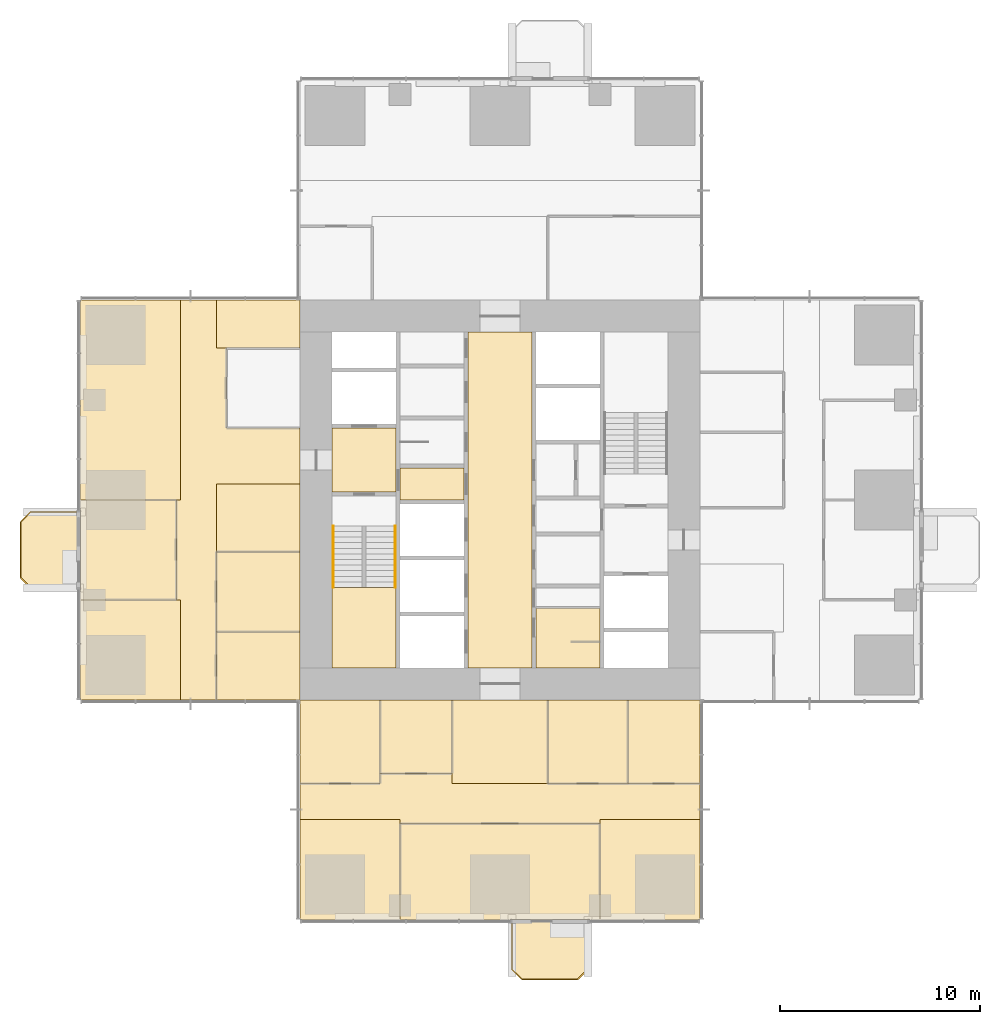
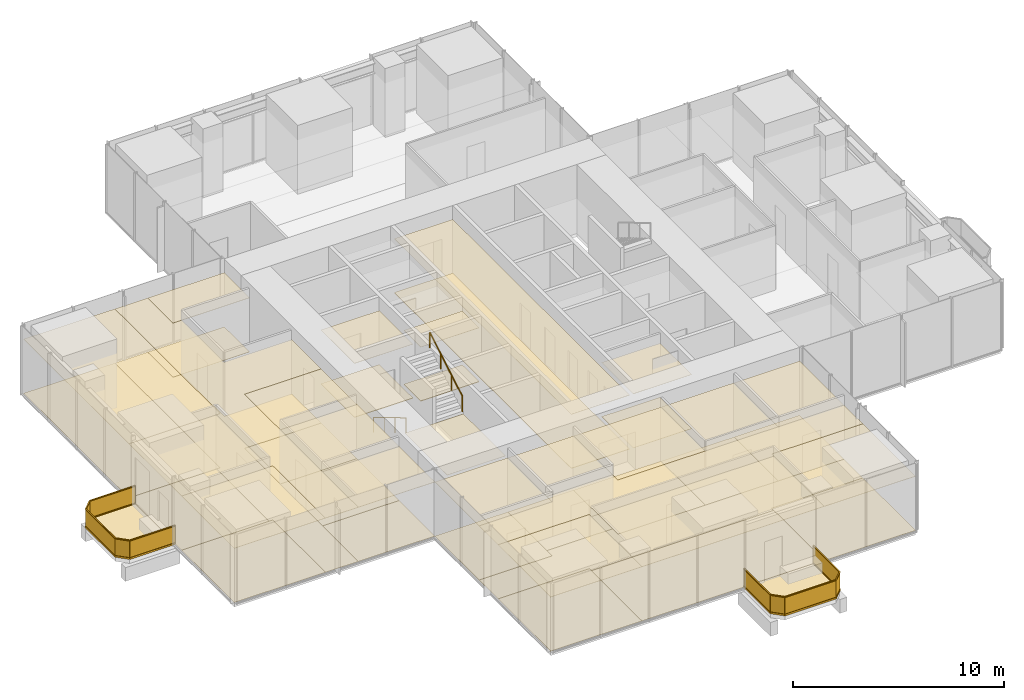
# One storey, part 11 of 13: 45 coverings, 4 railings.
"""IFC4 building model written with IfcOpenShell, lengths in metres."""

from ifc_helpers import new_model, si_unit, direction, frame, origin, origin_2d, place, context, subcontext, project, spatial, polyline, rectangle, circle, outline, extrude, material, layer, layer_set, type_object, element, save


model = new_model("IFC4")

# Units and contexts
model_context = context("Model", 3, precision=1e-05, world=origin(), true_north=direction((0.0, 1.0)))
body_context = subcontext(model_context, "Body", "Model", "MODEL_VIEW")
ifc_project = project(units=[si_unit("LENGTHUNIT", "METRE"), si_unit("AREAUNIT", "SQUARE_METRE"), si_unit("VOLUMEUNIT", "CUBIC_METRE"), si_unit("PLANEANGLEUNIT", "RADIAN"), si_unit("MASSUNIT", "GRAM", prefix="KILO")], contexts=[model_context])

# Site, building, storey
site_placement = place(None, origin())
site = spatial("IfcSite", under=ifc_project, at=site_placement, CompositionType="ELEMENT")
building_placement = place(site_placement, origin())
building = spatial("IfcBuilding", under=site, at=building_placement, Name="Svetlomir Tower", CompositionType="ELEMENT")
storey_placement = place(building_placement, frame((0.0, 0.0, 144.5)))
storey = spatial("IfcBuildingStorey", under=building, at=storey_placement, Name="L34", CompositionType="ELEMENT", Elevation=144.5)

# Railings
ifc_material_1 = material(Name="Bronze anodised aluminium and laminated glass", Category="aluminium")
railing_type_1 = type_object("IfcRailingType", Name="BALCONY GUARD GR1 1100", PredefinedType="GUARDRAIL", material=ifc_material_1)
railing_1_placement = place(storey_placement, frame((21.60009765625, 0.0, 0.0)))
element("IfcRailing", 1, at=railing_1_placement, inside=storey, type_object=railing_type_1, Name="Balcony guard S L34", PredefinedType="GUARDRAIL", context=body_context, shape_type="SweptSolid", body=[
    extrude(rectangle(XDim=0.06005859375, YDim=0.10009765625, at=origin_2d()), frame((0.0, 0.0, 0.050048828125), z_axis=(0.0, -1.0, 0.0), x_axis=(1.0, 0.0, 0.0)), (0.0, 0.0, 1.0), 2.5),
    extrude(rectangle(XDim=0.021484375, YDim=0.960205078125, at=origin_2d()), frame((0.0, 0.0, 0.580078125), z_axis=(0.0, -1.0, 0.0), x_axis=(1.0, 0.0, 0.0)), (0.0, 0.0, 1.0), 2.5),
    extrude(rectangle(XDim=0.06005859375, YDim=0.0400390625, at=origin_2d()), frame((0.0, 0.0, 1.080078125), z_axis=(0.0, -1.0, 0.0), x_axis=(1.0, 0.0, 0.0)), (0.0, 0.0, 1.0), 2.5),
    extrude(rectangle(XDim=0.06005859375, YDim=0.10009765625, at=origin_2d()), frame((0.0, -2.5, 0.050048828125), z_axis=(0.707106781187, -0.707106781187, 0.0), x_axis=(0.707106781187, 0.707106781187, 0.0)), (0.0, 0.0, 1.0), 0.70703125),
    extrude(rectangle(XDim=0.021484375, YDim=0.960205078125, at=origin_2d()), frame((0.0, -2.5, 0.580078125), z_axis=(0.707106781187, -0.707106781187, 0.0), x_axis=(0.707106781187, 0.707106781187, 0.0)), (0.0, 0.0, 1.0), 0.70703125),
    extrude(rectangle(XDim=0.06005859375, YDim=0.0400390625, at=origin_2d()), frame((0.0, -2.5, 1.080078125), z_axis=(0.707106781187, -0.707106781187, 0.0), x_axis=(0.707106781187, 0.707106781187, 0.0)), (0.0, 0.0, 1.0), 0.70703125),
    extrude(rectangle(XDim=0.06005859375, YDim=0.10009765625, at=origin_2d()), frame((0.5, -3.0, 0.050048828125), z_axis=(1.0, 0.0, 0.0), x_axis=(0.0, 1.0, 0.0)), (0.0, 0.0, 1.0), 2.7998046875),
    extrude(rectangle(XDim=0.021484375, YDim=0.960205078125, at=origin_2d()), frame((0.5, -3.0, 0.580078125), z_axis=(1.0, 0.0, 0.0), x_axis=(0.0, 1.0, 0.0)), (0.0, 0.0, 1.0), 2.7998046875),
    extrude(rectangle(XDim=0.06005859375, YDim=0.0400390625, at=origin_2d()), frame((0.5, -3.0, 1.080078125), z_axis=(1.0, 0.0, 0.0), x_axis=(0.0, 1.0, 0.0)), (0.0, 0.0, 1.0), 2.7998046875),
    extrude(rectangle(XDim=0.06005859375, YDim=0.10009765625, at=origin_2d()), frame((3.2998046875, -3.0, 0.050048828125), z_axis=(0.707106781187, 0.707106781187, 0.0), x_axis=(-0.707106781187, 0.707106781187, 0.0)), (0.0, 0.0, 1.0), 0.70703125),
    extrude(rectangle(XDim=0.021484375, YDim=0.960205078125, at=origin_2d()), frame((3.2998046875, -3.0, 0.580078125), z_axis=(0.707106781187, 0.707106781187, 0.0), x_axis=(-0.707106781187, 0.707106781187, 0.0)), (0.0, 0.0, 1.0), 0.70703125),
    extrude(rectangle(XDim=0.06005859375, YDim=0.0400390625, at=origin_2d()), frame((3.2998046875, -3.0, 1.080078125), z_axis=(0.707106781187, 0.707106781187, 0.0), x_axis=(-0.707106781187, 0.707106781187, 0.0)), (0.0, 0.0, 1.0), 0.70703125),
    extrude(rectangle(XDim=0.06005859375, YDim=0.10009765625, at=origin_2d()), frame((3.7998046875, -2.5, 0.050048828125), z_axis=(0.0, 1.0, 0.0), x_axis=(-1.0, 0.0, 0.0)), (0.0, 0.0, 1.0), 2.5),
    extrude(rectangle(XDim=0.021484375, YDim=0.960205078125, at=origin_2d()), frame((3.7998046875, -2.5, 0.580078125), z_axis=(0.0, 1.0, 0.0), x_axis=(-1.0, 0.0, 0.0)), (0.0, 0.0, 1.0), 2.5),
    extrude(rectangle(XDim=0.06005859375, YDim=0.0400390625, at=origin_2d()), frame((3.7998046875, -2.5, 1.080078125), z_axis=(0.0, 1.0, 0.0), x_axis=(-1.0, 0.0, 0.0)), (0.0, 0.0, 1.0), 2.5),
])
railing_2_placement = place(storey_placement, frame((0.0, 20.39990234375, 0.0)))
element("IfcRailing", 2, at=railing_2_placement, inside=storey, type_object=railing_type_1, Name="Balcony guard W L34", PredefinedType="GUARDRAIL", context=body_context, shape_type="SweptSolid", body=[
    extrude(rectangle(XDim=0.06005859375, YDim=0.10009765625, at=origin_2d()), frame((0.0, 0.0, 0.050048828125), z_axis=(-1.0, 0.0, 0.0), x_axis=(0.0, -1.0, 0.0)), (0.0, 0.0, 1.0), 2.5),
    extrude(rectangle(XDim=0.021484375, YDim=0.960205078125, at=origin_2d()), frame((0.0, 0.0, 0.580078125), z_axis=(-1.0, 0.0, 0.0), x_axis=(0.0, -1.0, 0.0)), (0.0, 0.0, 1.0), 2.5),
    extrude(rectangle(XDim=0.06005859375, YDim=0.0400390625, at=origin_2d()), frame((0.0, 0.0, 1.080078125), z_axis=(-1.0, 0.0, 0.0), x_axis=(0.0, -1.0, 0.0)), (0.0, 0.0, 1.0), 2.5),
    extrude(rectangle(XDim=0.06005859375, YDim=0.10009765625, at=origin_2d()), frame((-2.5, 0.0, 0.050048828125), z_axis=(-0.707106781187, -0.707106781187, 0.0), x_axis=(0.707106781187, -0.707106781187, 0.0)), (0.0, 0.0, 1.0), 0.70703125),
    extrude(rectangle(XDim=0.021484375, YDim=0.960205078125, at=origin_2d()), frame((-2.5, 0.0, 0.580078125), z_axis=(-0.707106781187, -0.707106781187, 0.0), x_axis=(0.707106781187, -0.707106781187, 0.0)), (0.0, 0.0, 1.0), 0.70703125),
    extrude(rectangle(XDim=0.06005859375, YDim=0.0400390625, at=origin_2d()), frame((-2.5, 0.0, 1.080078125), z_axis=(-0.707106781187, -0.707106781187, 0.0), x_axis=(0.707106781187, -0.707106781187, 0.0)), (0.0, 0.0, 1.0), 0.70703125),
    extrude(rectangle(XDim=0.06005859375, YDim=0.10009765625, at=origin_2d()), frame((-3.0, -0.5, 0.050048828125), z_axis=(0.0, -1.0, 0.0), x_axis=(1.0, 0.0, 0.0)), (0.0, 0.0, 1.0), 2.7998046875),
    extrude(rectangle(XDim=0.021484375, YDim=0.960205078125, at=origin_2d()), frame((-3.0, -0.5, 0.580078125), z_axis=(0.0, -1.0, 0.0), x_axis=(1.0, 0.0, 0.0)), (0.0, 0.0, 1.0), 2.7998046875),
    extrude(rectangle(XDim=0.06005859375, YDim=0.0400390625, at=origin_2d()), frame((-3.0, -0.5, 1.080078125), z_axis=(0.0, -1.0, 0.0), x_axis=(1.0, 0.0, 0.0)), (0.0, 0.0, 1.0), 2.7998046875),
    extrude(rectangle(XDim=0.06005859375, YDim=0.10009765625, at=origin_2d()), frame((-3.0, -3.2998046875, 0.050048828125), z_axis=(0.707106781187, -0.707106781187, 0.0), x_axis=(0.707106781187, 0.707106781187, 0.0)), (0.0, 0.0, 1.0), 0.70703125),
    extrude(rectangle(XDim=0.021484375, YDim=0.960205078125, at=origin_2d()), frame((-3.0, -3.2998046875, 0.580078125), z_axis=(0.707106781187, -0.707106781187, 0.0), x_axis=(0.707106781187, 0.707106781187, 0.0)), (0.0, 0.0, 1.0), 0.70703125),
    extrude(rectangle(XDim=0.06005859375, YDim=0.0400390625, at=origin_2d()), frame((-3.0, -3.2998046875, 1.080078125), z_axis=(0.707106781187, -0.707106781187, 0.0), x_axis=(0.707106781187, 0.707106781187, 0.0)), (0.0, 0.0, 1.0), 0.70703125),
    extrude(rectangle(XDim=0.06005859375, YDim=0.10009765625, at=origin_2d()), frame((-2.5, -3.7998046875, 0.050048828125), z_axis=(1.0, 0.0, 0.0), x_axis=(0.0, 1.0, 0.0)), (0.0, 0.0, 1.0), 2.5),
    extrude(rectangle(XDim=0.021484375, YDim=0.960205078125, at=origin_2d()), frame((-2.5, -3.7998046875, 0.580078125), z_axis=(1.0, 0.0, 0.0), x_axis=(0.0, 1.0, 0.0)), (0.0, 0.0, 1.0), 2.5),
    extrude(rectangle(XDim=0.06005859375, YDim=0.0400390625, at=origin_2d()), frame((-2.5, -3.7998046875, 1.080078125), z_axis=(1.0, 0.0, 0.0), x_axis=(0.0, 1.0, 0.0)), (0.0, 0.0, 1.0), 2.5),
])

# Coverings
ifc_material_2 = material(Name="Granite paving slabs on pedestals", Category="masonry")
ifc_layer_1 = layer(ifc_material_2, 0.0400390625)
ifc_layer_set_1 = layer_set([ifc_layer_1], Name="Granite paving slabs on pedestals")
covering_type_1 = type_object("IfcCoveringType", Name="BALCONY PAVING 40", PredefinedType="USERDEFINED", material=ifc_layer_set_1)
covering_1_placement = place(storey_placement, origin())
element("IfcCovering", 3, at=covering_1_placement, inside=storey, type_object=covering_type_1, Name="Balcony paving S L34", ObjectType="BALCONY PAVING", PredefinedType="USERDEFINED", context=body_context, shape_type="SweptSolid", body=[
    extrude(outline(polyline([(21.60009765625, -2.5), (22.10009765625, -3.0), (24.89990234375, -3.0), (25.39990234375, -2.5), (25.39990234375, 0.0), (21.60009765625, 0.0), (21.60009765625, -2.5)])), origin(), (0.0, 0.0, 1.0), 0.0400390625),
])
covering_2_placement = place(storey_placement, origin())
element("IfcCovering", 4, at=covering_2_placement, inside=storey, type_object=covering_type_1, Name="Balcony paving W L34", ObjectType="BALCONY PAVING", PredefinedType="USERDEFINED", context=body_context, shape_type="SweptSolid", body=[
    extrude(outline(polyline([(-2.5, 16.60009765625), (0.0, 16.60009765625), (0.0, 20.39990234375), (-2.5, 20.39990234375), (-3.0, 19.89990234375), (-3.0, 17.10009765625), (-2.5, 16.60009765625)])), origin(), (0.0, 0.0, 1.0), 0.0400390625),
])
ifc_material_3 = material(Name="Carpet tile", Category="textile")
ifc_layer_2 = layer(ifc_material_3, 0.010009765625)
ifc_layer_set_2 = layer_set([ifc_layer_2], Name="Carpet tile")
covering_type_2 = type_object("IfcCoveringType", Name="CARPET TILE FLOOR 10", PredefinedType="FLOORING", material=ifc_layer_set_2)
covering_3_placement = place(storey_placement, origin())
element("IfcCovering", 5, at=covering_3_placement, inside=storey, type_object=covering_type_2, Name="Floor finish L34-16", PredefinedType="FLOORING", context=body_context, shape_type="SweptSolid", body=[
    extrude(outline(polyline([(11.0, 6.800048828125), (15.0, 6.800048828125), (15.0, 11.0), (11.0, 11.0), (11.0, 6.800048828125)])), origin(), (0.0, 0.0, 1.0), 0.010009765625),
])
covering_4_placement = place(storey_placement, origin())
element("IfcCovering", 6, at=covering_4_placement, inside=storey, type_object=covering_type_2, Name="Floor finish L34-17", PredefinedType="FLOORING", context=body_context, shape_type="SweptSolid", body=[
    extrude(outline(polyline([(15.0, 7.300048828125), (18.60009765625, 7.300048828125), (18.60009765625, 11.0), (15.0, 11.0), (15.0, 7.300048828125)])), origin(), (0.0, 0.0, 1.0), 0.010009765625),
])
covering_5_placement = place(storey_placement, origin())
element("IfcCovering", 7, at=covering_5_placement, inside=storey, type_object=covering_type_2, Name="Floor finish L34-18", PredefinedType="FLOORING", context=body_context, shape_type="SweptSolid", body=[
    extrude(outline(polyline([(23.39990234375, 6.800048828125), (27.39990234375, 6.800048828125), (27.39990234375, 11.0), (23.39990234375, 11.0), (23.39990234375, 6.800048828125)])), origin(), (0.0, 0.0, 1.0), 0.010009765625),
])
covering_6_placement = place(storey_placement, origin())
element("IfcCovering", 8, at=covering_6_placement, inside=storey, type_object=covering_type_2, Name="Floor finish L34-19", PredefinedType="FLOORING", context=body_context, shape_type="SweptSolid", body=[
    extrude(outline(polyline([(27.39990234375, 6.800048828125), (31.0, 6.800048828125), (31.0, 11.0), (27.39990234375, 11.0), (27.39990234375, 6.800048828125)])), origin(), (0.0, 0.0, 1.0), 0.010009765625),
])
covering_7_placement = place(storey_placement, origin())
element("IfcCovering", 9, at=covering_7_placement, inside=storey, type_object=covering_type_2, Name="Floor finish L34-20", PredefinedType="FLOORING", context=body_context, shape_type="SweptSolid", body=[
    extrude(outline(polyline([(16.0, 0.0), (26.0, 0.0), (26.0, 4.800048828125), (16.0, 4.800048828125), (16.0, 0.0)])), origin(), (0.0, 0.0, 1.0), 0.010009765625),
])
covering_8_placement = place(storey_placement, origin())
element("IfcCovering", 10, at=covering_8_placement, inside=storey, type_object=covering_type_2, Name="Floor finish L34-28", PredefinedType="FLOORING", context=body_context, shape_type="SweptSolid", body=[
    extrude(outline(polyline([(6.800048828125, 11.0), (11.0, 11.0), (11.0, 14.39990234375), (6.800048828125, 14.39990234375), (6.800048828125, 11.0)])), origin(), (0.0, 0.0, 1.0), 0.010009765625),
])
covering_9_placement = place(storey_placement, origin())
element("IfcCovering", 11, at=covering_9_placement, inside=storey, type_object=covering_type_2, Name="Floor finish L34-29", PredefinedType="FLOORING", context=body_context, shape_type="SweptSolid", body=[
    extrude(outline(polyline([(6.800048828125, 14.39990234375), (11.0, 14.39990234375), (11.0, 18.39990234375), (6.800048828125, 18.39990234375), (6.800048828125, 14.39990234375)])), origin(), (0.0, 0.0, 1.0), 0.010009765625),
])
covering_10_placement = place(storey_placement, origin())
element("IfcCovering", 12, at=covering_10_placement, inside=storey, type_object=covering_type_2, Name="Floor finish L34-31", PredefinedType="FLOORING", context=body_context, shape_type="SweptSolid", body=[
    extrude(outline(polyline([(0.0, 16.0), (4.800048828125, 16.0), (4.800048828125, 21.0), (0.0, 21.0), (0.0, 16.0)])), origin(), (0.0, 0.0, 1.0), 0.010009765625),
])
covering_11_placement = place(storey_placement, origin())
element("IfcCovering", 13, at=covering_11_placement, inside=storey, type_object=covering_type_2, Name="Floor finish L34-32", PredefinedType="FLOORING", context=body_context, shape_type="SweptSolid", body=[
    extrude(outline(polyline([(18.60009765625, 7.300048828125), (18.60009765625, 6.800048828125), (31.0, 6.800048828125), (31.0, 5.0), (26.0, 5.0), (26.0, 4.800048828125), (16.0, 4.800048828125), (16.0, 5.0), (11.0, 5.0), (11.0, 6.800048828125), (15.0, 6.800048828125), (15.0, 7.300048828125), (18.60009765625, 7.300048828125)])), origin(), (0.0, 0.0, 1.0), 0.010009765625),
])
covering_12_placement = place(storey_placement, origin())
element("IfcCovering", 14, at=covering_12_placement, inside=storey, type_object=covering_type_2, Name="Floor finish L34-33", PredefinedType="FLOORING", context=body_context, shape_type="SweptSolid", body=[
    extrude(outline(polyline([(5.0, 31.0), (6.800048828125, 31.0), (6.800048828125, 28.60009765625), (7.300048828125, 28.60009765625), (7.300048828125, 24.60009765625), (11.0, 24.60009765625), (11.0, 21.800048828125), (6.800048828125, 21.800048828125), (6.800048828125, 11.0), (5.0, 11.0), (5.0, 16.0), (4.800048828125, 16.0), (4.800048828125, 21.0), (5.0, 21.0), (5.0, 31.0)])), origin(), (0.0, 0.0, 1.0), 0.010009765625),
])
covering_13_placement = place(storey_placement, origin())
element("IfcCovering", 15, at=covering_13_placement, inside=storey, type_object=covering_type_2, Name="Floor finish L34-36", PredefinedType="FLOORING", context=body_context, shape_type="SweptSolid", body=[
    extrude(outline(polyline([(16.0, 5.0), (16.0, 0.0), (11.0, 0.0), (11.0, 5.0), (16.0, 5.0)])), origin(), (0.0, 0.0, 1.0), 0.010009765625),
])
covering_14_placement = place(storey_placement, origin())
element("IfcCovering", 16, at=covering_14_placement, inside=storey, type_object=covering_type_2, Name="Floor finish L34-37", PredefinedType="FLOORING", context=body_context, shape_type="SweptSolid", body=[
    extrude(outline(polyline([(23.39990234375, 11.0), (23.39990234375, 6.800048828125), (18.60009765625, 6.800048828125), (18.60009765625, 11.0), (23.39990234375, 11.0)])), origin(), (0.0, 0.0, 1.0), 0.010009765625),
])
covering_15_placement = place(storey_placement, origin())
element("IfcCovering", 17, at=covering_15_placement, inside=storey, type_object=covering_type_2, Name="Floor finish L34-38", PredefinedType="FLOORING", context=body_context, shape_type="SweptSolid", body=[
    extrude(outline(polyline([(26.0, 0.0), (26.0, 5.0), (31.0, 5.0), (31.0, 0.0), (26.0, 0.0)])), origin(), (0.0, 0.0, 1.0), 0.010009765625),
])
covering_16_placement = place(storey_placement, origin())
element("IfcCovering", 18, at=covering_16_placement, inside=storey, type_object=covering_type_2, Name="Floor finish L34-45", PredefinedType="FLOORING", context=body_context, shape_type="SweptSolid", body=[
    extrude(outline(polyline([(5.0, 21.0), (0.0, 21.0), (0.0, 31.0), (5.0, 31.0), (5.0, 21.0)])), origin(), (0.0, 0.0, 1.0), 0.010009765625),
])
covering_17_placement = place(storey_placement, origin())
element("IfcCovering", 19, at=covering_17_placement, inside=storey, type_object=covering_type_2, Name="Floor finish L34-46", PredefinedType="FLOORING", context=body_context, shape_type="SweptSolid", body=[
    extrude(outline(polyline([(11.0, 28.60009765625), (6.800048828125, 28.60009765625), (6.800048828125, 31.0), (11.0, 31.0), (11.0, 28.60009765625)])), origin(), (0.0, 0.0, 1.0), 0.010009765625),
])
covering_18_placement = place(storey_placement, origin())
element("IfcCovering", 20, at=covering_18_placement, inside=storey, type_object=covering_type_2, Name="Floor finish L34-47", PredefinedType="FLOORING", context=body_context, shape_type="SweptSolid", body=[
    extrude(outline(polyline([(6.800048828125, 18.39990234375), (6.800048828125, 21.800048828125), (11.0, 21.800048828125), (11.0, 18.39990234375), (6.800048828125, 18.39990234375)])), origin(), (0.0, 0.0, 1.0), 0.010009765625),
])
covering_19_placement = place(storey_placement, origin())
element("IfcCovering", 21, at=covering_19_placement, inside=storey, type_object=covering_type_2, Name="Floor finish L34-48", PredefinedType="FLOORING", context=body_context, shape_type="SweptSolid", body=[
    extrude(outline(polyline([(0.0, 16.0), (5.0, 16.0), (5.0, 11.0), (0.0, 11.0), (0.0, 16.0)])), origin(), (0.0, 0.0, 1.0), 0.010009765625),
])
ifc_material_4 = material(Name="Ceramic floor tile", Category="ceramic")
ifc_layer_3 = layer(ifc_material_4, 0.014892578125)
ifc_layer_set_3 = layer_set([ifc_layer_3], Name="Ceramic floor tile")
covering_type_3 = type_object("IfcCoveringType", Name="CERAMIC TILE FLOOR 15", PredefinedType="FLOORING", material=ifc_layer_set_3)
covering_20_placement = place(storey_placement, origin())
element("IfcCovering", 22, at=covering_20_placement, inside=storey, type_object=covering_type_3, Name="Floor finish L34-09", PredefinedType="FLOORING", context=body_context, shape_type="SweptSolid", body=[
    extrude(outline(polyline([(22.800048828125, 12.60009765625), (26.0, 12.60009765625), (26.0, 15.60009765625), (22.800048828125, 15.60009765625), (22.800048828125, 12.60009765625)])), origin(), (0.0, 0.0, 1.0), 0.014892578125),
])

# Railings
ifc_material_5 = material(Name="Stainless steel", Category="steel")
railing_type_2 = type_object("IfcRailingType", Name="HANDRAIL HR1 900", PredefinedType="HANDRAIL", material=ifc_material_5)
railing_3_placement = place(storey_placement, frame((12.64990234375, 19.699951171875, 0.166748046875)))
element("IfcRailing", 23, at=railing_3_placement, inside=storey, type_object=railing_type_2, Name="Handrail S1 flight 1 L34", PredefinedType="HANDRAIL", context=body_context, shape_type="SweptSolid", body=[
    extrude(circle(Radius=0.02392578125, at=origin_2d()), frame((0.0, 0.0, 0.8759765625), z_axis=(0.0, -0.859290745958, 0.51148745235), x_axis=(1.0, 0.0, 0.0)), (0.0, 0.0, 1.0), 3.584228515625),
    extrude(circle(Radius=0.02099609375, at=origin_2d()), origin(), (0.0, 0.0, 1.0), 0.851806640625),
    extrude(circle(Radius=0.02099609375, at=origin_2d()), frame((0.0, -1.026611328125, 0.611083984375)), (0.0, 0.0, 1.0), 0.851806640625),
    extrude(circle(Radius=0.02099609375, at=origin_2d()), frame((0.0, -2.05322265625, 1.22216796875)), (0.0, 0.0, 1.0), 0.851806640625),
    extrude(circle(Radius=0.02099609375, at=origin_2d()), frame((0.0, -3.079833984375, 1.833251953125)), (0.0, 0.0, 1.0), 0.851806640625),
])
railing_4_placement = place(storey_placement, frame((15.75, 16.6201171875, 2.166748046875)))
element("IfcRailing", 24, at=railing_4_placement, inside=storey, type_object=railing_type_2, Name="Handrail S1 flight 2 L34", PredefinedType="HANDRAIL", context=body_context, shape_type="SweptSolid", body=[
    extrude(circle(Radius=0.02392578125, at=origin_2d()), frame((0.0, 0.0, 0.8759765625), z_axis=(0.0, 0.859290745958, 0.51148745235), x_axis=(-1.0, 0.0, 0.0)), (0.0, 0.0, 1.0), 3.584228515625),
    extrude(circle(Radius=0.02099609375, at=origin_2d()), origin(), (0.0, 0.0, 1.0), 0.851806640625),
    extrude(circle(Radius=0.02099609375, at=origin_2d()), frame((0.0, 1.026611328125, 0.611083984375)), (0.0, 0.0, 1.0), 0.851806640625),
    extrude(circle(Radius=0.02099609375, at=origin_2d()), frame((0.0, 2.05322265625, 1.22216796875)), (0.0, 0.0, 1.0), 0.851806640625),
    extrude(circle(Radius=0.02099609375, at=origin_2d()), frame((0.0, 3.079833984375, 1.833251953125)), (0.0, 0.0, 1.0), 0.851806640625),
])

# Coverings
ifc_material_6 = material(Name="Moisture resistant plasterboard ceiling", Category="gypsum")
ifc_layer_4 = layer(ifc_material_6, 0.012451171875)
ifc_layer_set_4 = layer_set([ifc_layer_4], Name="Moisture resistant plasterboard ceiling")
covering_type_4 = type_object("IfcCoveringType", Name="MOISTURE RESISTANT CEILING 12.5", PredefinedType="CEILING", material=ifc_layer_set_4)
covering_21_placement = place(storey_placement, frame((0.0, 0.0, 3.137451171875)))
element("IfcCovering", 25, at=covering_21_placement, inside=storey, type_object=covering_type_4, Name="Ceiling L34-09", PredefinedType="CEILING", context=body_context, shape_type="SweptSolid", body=[
    extrude(outline(polyline([(22.800048828125, 12.60009765625), (26.0, 12.60009765625), (26.0, 15.60009765625), (22.800048828125, 15.60009765625), (22.800048828125, 12.60009765625)])), origin(), (0.0, 0.0, 1.0), 0.012451171875),
])
ifc_material_7 = material(Name="Gypsum plasterboard ceiling", Category="gypsum")
ifc_layer_5 = layer(ifc_material_7, 0.014892578125)
ifc_layer_set_5 = layer_set([ifc_layer_5], Name="Gypsum plasterboard ceiling")
covering_type_5 = type_object("IfcCoveringType", Name="PLASTERBOARD CEILING 15", PredefinedType="CEILING", material=ifc_layer_set_5)
covering_22_placement = place(storey_placement, frame((0.0, 0.0, 3.135009765625)))
element("IfcCovering", 26, at=covering_22_placement, inside=storey, type_object=covering_type_5, Name="Ceiling L34-02", PredefinedType="CEILING", context=body_context, shape_type="SweptSolid", body=[
    extrude(outline(polyline([(12.60009765625, 21.39990234375), (15.800048828125, 21.39990234375), (15.800048828125, 24.60009765625), (12.60009765625, 24.60009765625), (12.60009765625, 21.39990234375)])), origin(), (0.0, 0.0, 1.0), 0.014892578125),
])
covering_23_placement = place(storey_placement, frame((0.0, 0.0, 3.135009765625)))
element("IfcCovering", 27, at=covering_23_placement, inside=storey, type_object=covering_type_5, Name="Ceiling L34-03", PredefinedType="CEILING", context=body_context, shape_type="SweptSolid", body=[
    extrude(outline(polyline([(16.0, 21.0), (19.199951171875, 21.0), (19.199951171875, 22.60009765625), (16.0, 22.60009765625), (16.0, 21.0)])), origin(), (0.0, 0.0, 1.0), 0.014892578125),
])
covering_24_placement = place(storey_placement, frame((0.0, 0.0, 3.135009765625)))
element("IfcCovering", 28, at=covering_24_placement, inside=storey, type_object=covering_type_5, Name="Ceiling L34-07", PredefinedType="CEILING", context=body_context, shape_type="SweptSolid", body=[
    extrude(outline(polyline([(19.39990234375, 12.60009765625), (22.60009765625, 12.60009765625), (22.60009765625, 29.39990234375), (19.39990234375, 29.39990234375), (19.39990234375, 12.60009765625)])), origin(), (0.0, 0.0, 1.0), 0.014892578125),
])
ifc_material_8 = material(Name="Studded rubber floor finish", Category="rubber")
ifc_layer_6 = layer(ifc_material_8, 0.006103515625)
ifc_layer_set_6 = layer_set([ifc_layer_6], Name="Studded rubber floor finish")
covering_type_6 = type_object("IfcCoveringType", Name="RUBBER LANDING FINISH 6", PredefinedType="FLOORING", material=ifc_layer_set_6)
covering_25_placement = place(storey_placement, frame((0.0, 0.0, 2.0)))
element("IfcCovering", 29, at=covering_25_placement, inside=storey, type_object=covering_type_6, Name="Stair S1 landing finish L34", PredefinedType="FLOORING", context=body_context, shape_type="SweptSolid", body=[
    extrude(outline(polyline([(12.60009765625, 12.60009765625), (15.800048828125, 12.60009765625), (15.800048828125, 16.6201171875), (12.60009765625, 16.6201171875), (12.60009765625, 12.60009765625)])), origin(), (0.0, 0.0, 1.0), 0.006103515625),
])
ifc_material_9 = material(Name="Mineral fibre ceiling tile", Category="mineral")
ifc_layer_7 = layer(ifc_material_9, 0.02001953125)
ifc_layer_set_7 = layer_set([ifc_layer_7], Name="Mineral fibre ceiling tile")
covering_type_7 = type_object("IfcCoveringType", Name="SUSPENDED CEILING 20", PredefinedType="CEILING", material=ifc_layer_set_7)
covering_26_placement = place(storey_placement, frame((0.0, 0.0, 3.1298828125)))
element("IfcCovering", 30, at=covering_26_placement, inside=storey, type_object=covering_type_7, Name="Ceiling L34-16", PredefinedType="CEILING", context=body_context, shape_type="SweptSolid", body=[
    extrude(outline(polyline([(11.0, 6.800048828125), (15.0, 6.800048828125), (15.0, 11.0), (11.0, 11.0), (11.0, 6.800048828125)])), origin(), (0.0, 0.0, 1.0), 0.02001953125),
])
covering_27_placement = place(storey_placement, frame((0.0, 0.0, 3.1298828125)))
element("IfcCovering", 31, at=covering_27_placement, inside=storey, type_object=covering_type_7, Name="Ceiling L34-17", PredefinedType="CEILING", context=body_context, shape_type="SweptSolid", body=[
    extrude(outline(polyline([(15.0, 7.300048828125), (18.60009765625, 7.300048828125), (18.60009765625, 11.0), (15.0, 11.0), (15.0, 7.300048828125)])), origin(), (0.0, 0.0, 1.0), 0.02001953125),
])
covering_28_placement = place(storey_placement, frame((0.0, 0.0, 3.1298828125)))
element("IfcCovering", 32, at=covering_28_placement, inside=storey, type_object=covering_type_7, Name="Ceiling L34-18", PredefinedType="CEILING", context=body_context, shape_type="SweptSolid", body=[
    extrude(outline(polyline([(23.39990234375, 6.800048828125), (27.39990234375, 6.800048828125), (27.39990234375, 11.0), (23.39990234375, 11.0), (23.39990234375, 6.800048828125)])), origin(), (0.0, 0.0, 1.0), 0.02001953125),
])
covering_29_placement = place(storey_placement, frame((0.0, 0.0, 3.1298828125)))
element("IfcCovering", 33, at=covering_29_placement, inside=storey, type_object=covering_type_7, Name="Ceiling L34-19", PredefinedType="CEILING", context=body_context, shape_type="SweptSolid", body=[
    extrude(outline(polyline([(27.39990234375, 6.800048828125), (31.0, 6.800048828125), (31.0, 11.0), (27.39990234375, 11.0), (27.39990234375, 6.800048828125)])), origin(), (0.0, 0.0, 1.0), 0.02001953125),
])
covering_30_placement = place(storey_placement, frame((0.0, 0.0, 3.1298828125)))
element("IfcCovering", 34, at=covering_30_placement, inside=storey, type_object=covering_type_7, Name="Ceiling L34-20", PredefinedType="CEILING", context=body_context, shape_type="SweptSolid", body=[
    extrude(outline(polyline([(16.0, 0.0), (26.0, 0.0), (26.0, 4.800048828125), (16.0, 4.800048828125), (16.0, 0.0)])), origin(), (0.0, 0.0, 1.0), 0.02001953125),
])
covering_31_placement = place(storey_placement, frame((0.0, 0.0, 3.1298828125)))
element("IfcCovering", 35, at=covering_31_placement, inside=storey, type_object=covering_type_7, Name="Ceiling L34-28", PredefinedType="CEILING", context=body_context, shape_type="SweptSolid", body=[
    extrude(outline(polyline([(6.800048828125, 11.0), (11.0, 11.0), (11.0, 14.39990234375), (6.800048828125, 14.39990234375), (6.800048828125, 11.0)])), origin(), (0.0, 0.0, 1.0), 0.02001953125),
])
covering_32_placement = place(storey_placement, frame((0.0, 0.0, 3.1298828125)))
element("IfcCovering", 36, at=covering_32_placement, inside=storey, type_object=covering_type_7, Name="Ceiling L34-29", PredefinedType="CEILING", context=body_context, shape_type="SweptSolid", body=[
    extrude(outline(polyline([(6.800048828125, 14.39990234375), (11.0, 14.39990234375), (11.0, 18.39990234375), (6.800048828125, 18.39990234375), (6.800048828125, 14.39990234375)])), origin(), (0.0, 0.0, 1.0), 0.02001953125),
])
covering_33_placement = place(storey_placement, frame((0.0, 0.0, 3.1298828125)))
element("IfcCovering", 37, at=covering_33_placement, inside=storey, type_object=covering_type_7, Name="Ceiling L34-31", PredefinedType="CEILING", context=body_context, shape_type="SweptSolid", body=[
    extrude(outline(polyline([(0.0, 16.0), (4.800048828125, 16.0), (4.800048828125, 21.0), (0.0, 21.0), (0.0, 16.0)])), origin(), (0.0, 0.0, 1.0), 0.02001953125),
])
covering_34_placement = place(storey_placement, frame((0.0, 0.0, 3.1298828125)))
element("IfcCovering", 38, at=covering_34_placement, inside=storey, type_object=covering_type_7, Name="Ceiling L34-32", PredefinedType="CEILING", context=body_context, shape_type="SweptSolid", body=[
    extrude(outline(polyline([(18.60009765625, 7.300048828125), (18.60009765625, 6.800048828125), (31.0, 6.800048828125), (31.0, 5.0), (26.0, 5.0), (26.0, 4.800048828125), (16.0, 4.800048828125), (16.0, 5.0), (11.0, 5.0), (11.0, 6.800048828125), (15.0, 6.800048828125), (15.0, 7.300048828125), (18.60009765625, 7.300048828125)])), origin(), (0.0, 0.0, 1.0), 0.02001953125),
])
covering_35_placement = place(storey_placement, frame((0.0, 0.0, 3.1298828125)))
element("IfcCovering", 39, at=covering_35_placement, inside=storey, type_object=covering_type_7, Name="Ceiling L34-33", PredefinedType="CEILING", context=body_context, shape_type="SweptSolid", body=[
    extrude(outline(polyline([(5.0, 31.0), (6.800048828125, 31.0), (6.800048828125, 28.60009765625), (7.300048828125, 28.60009765625), (7.300048828125, 24.60009765625), (11.0, 24.60009765625), (11.0, 21.800048828125), (6.800048828125, 21.800048828125), (6.800048828125, 11.0), (5.0, 11.0), (5.0, 16.0), (4.800048828125, 16.0), (4.800048828125, 21.0), (5.0, 21.0), (5.0, 31.0)])), origin(), (0.0, 0.0, 1.0), 0.02001953125),
])
covering_36_placement = place(storey_placement, frame((0.0, 0.0, 3.1298828125)))
element("IfcCovering", 40, at=covering_36_placement, inside=storey, type_object=covering_type_7, Name="Ceiling L34-36", PredefinedType="CEILING", context=body_context, shape_type="SweptSolid", body=[
    extrude(outline(polyline([(16.0, 5.0), (16.0, 0.0), (11.0, 0.0), (11.0, 5.0), (16.0, 5.0)])), origin(), (0.0, 0.0, 1.0), 0.02001953125),
])
covering_37_placement = place(storey_placement, frame((0.0, 0.0, 3.1298828125)))
element("IfcCovering", 41, at=covering_37_placement, inside=storey, type_object=covering_type_7, Name="Ceiling L34-37", PredefinedType="CEILING", context=body_context, shape_type="SweptSolid", body=[
    extrude(outline(polyline([(23.39990234375, 11.0), (23.39990234375, 6.800048828125), (18.60009765625, 6.800048828125), (18.60009765625, 11.0), (23.39990234375, 11.0)])), origin(), (0.0, 0.0, 1.0), 0.02001953125),
])
covering_38_placement = place(storey_placement, frame((0.0, 0.0, 3.1298828125)))
element("IfcCovering", 42, at=covering_38_placement, inside=storey, type_object=covering_type_7, Name="Ceiling L34-38", PredefinedType="CEILING", context=body_context, shape_type="SweptSolid", body=[
    extrude(outline(polyline([(26.0, 0.0), (26.0, 5.0), (31.0, 5.0), (31.0, 0.0), (26.0, 0.0)])), origin(), (0.0, 0.0, 1.0), 0.02001953125),
])
covering_39_placement = place(storey_placement, frame((0.0, 0.0, 3.1298828125)))
element("IfcCovering", 43, at=covering_39_placement, inside=storey, type_object=covering_type_7, Name="Ceiling L34-45", PredefinedType="CEILING", context=body_context, shape_type="SweptSolid", body=[
    extrude(outline(polyline([(5.0, 21.0), (0.0, 21.0), (0.0, 31.0), (5.0, 31.0), (5.0, 21.0)])), origin(), (0.0, 0.0, 1.0), 0.02001953125),
])
covering_40_placement = place(storey_placement, frame((0.0, 0.0, 3.1298828125)))
element("IfcCovering", 44, at=covering_40_placement, inside=storey, type_object=covering_type_7, Name="Ceiling L34-46", PredefinedType="CEILING", context=body_context, shape_type="SweptSolid", body=[
    extrude(outline(polyline([(11.0, 28.60009765625), (6.800048828125, 28.60009765625), (6.800048828125, 31.0), (11.0, 31.0), (11.0, 28.60009765625)])), origin(), (0.0, 0.0, 1.0), 0.02001953125),
])
covering_41_placement = place(storey_placement, frame((0.0, 0.0, 3.1298828125)))
element("IfcCovering", 45, at=covering_41_placement, inside=storey, type_object=covering_type_7, Name="Ceiling L34-47", PredefinedType="CEILING", context=body_context, shape_type="SweptSolid", body=[
    extrude(outline(polyline([(6.800048828125, 18.39990234375), (6.800048828125, 21.800048828125), (11.0, 21.800048828125), (11.0, 18.39990234375), (6.800048828125, 18.39990234375)])), origin(), (0.0, 0.0, 1.0), 0.02001953125),
])
covering_42_placement = place(storey_placement, frame((0.0, 0.0, 3.1298828125)))
element("IfcCovering", 46, at=covering_42_placement, inside=storey, type_object=covering_type_7, Name="Ceiling L34-48", PredefinedType="CEILING", context=body_context, shape_type="SweptSolid", body=[
    extrude(outline(polyline([(0.0, 16.0), (5.0, 16.0), (5.0, 11.0), (0.0, 11.0), (0.0, 16.0)])), origin(), (0.0, 0.0, 1.0), 0.02001953125),
])
ifc_material_10 = material(Name="Bronze-aggregate terrazzo", Category="stone")
ifc_layer_8 = layer(ifc_material_10, 0.030029296875)
ifc_layer_set_8 = layer_set([ifc_layer_8], Name="Bronze-aggregate terrazzo")
covering_type_8 = type_object("IfcCoveringType", Name="TERRAZZO FLOOR 30", PredefinedType="FLOORING", material=ifc_layer_set_8)
covering_43_placement = place(storey_placement, origin())
element("IfcCovering", 47, at=covering_43_placement, inside=storey, type_object=covering_type_8, Name="Floor finish L34-02", PredefinedType="FLOORING", context=body_context, shape_type="SweptSolid", body=[
    extrude(outline(polyline([(12.60009765625, 21.39990234375), (15.800048828125, 21.39990234375), (15.800048828125, 24.60009765625), (12.60009765625, 24.60009765625), (12.60009765625, 21.39990234375)])), origin(), (0.0, 0.0, 1.0), 0.030029296875),
])
covering_44_placement = place(storey_placement, origin())
element("IfcCovering", 48, at=covering_44_placement, inside=storey, type_object=covering_type_8, Name="Floor finish L34-03", PredefinedType="FLOORING", context=body_context, shape_type="SweptSolid", body=[
    extrude(outline(polyline([(16.0, 21.0), (19.199951171875, 21.0), (19.199951171875, 22.60009765625), (16.0, 22.60009765625), (16.0, 21.0)])), origin(), (0.0, 0.0, 1.0), 0.030029296875),
])
covering_45_placement = place(storey_placement, origin())
element("IfcCovering", 49, at=covering_45_placement, inside=storey, type_object=covering_type_8, Name="Floor finish L34-07", PredefinedType="FLOORING", context=body_context, shape_type="SweptSolid", body=[
    extrude(outline(polyline([(19.39990234375, 12.60009765625), (22.60009765625, 12.60009765625), (22.60009765625, 29.39990234375), (19.39990234375, 29.39990234375), (19.39990234375, 12.60009765625)])), origin(), (0.0, 0.0, 1.0), 0.030029296875),
])

save(model, "model.ifc")
